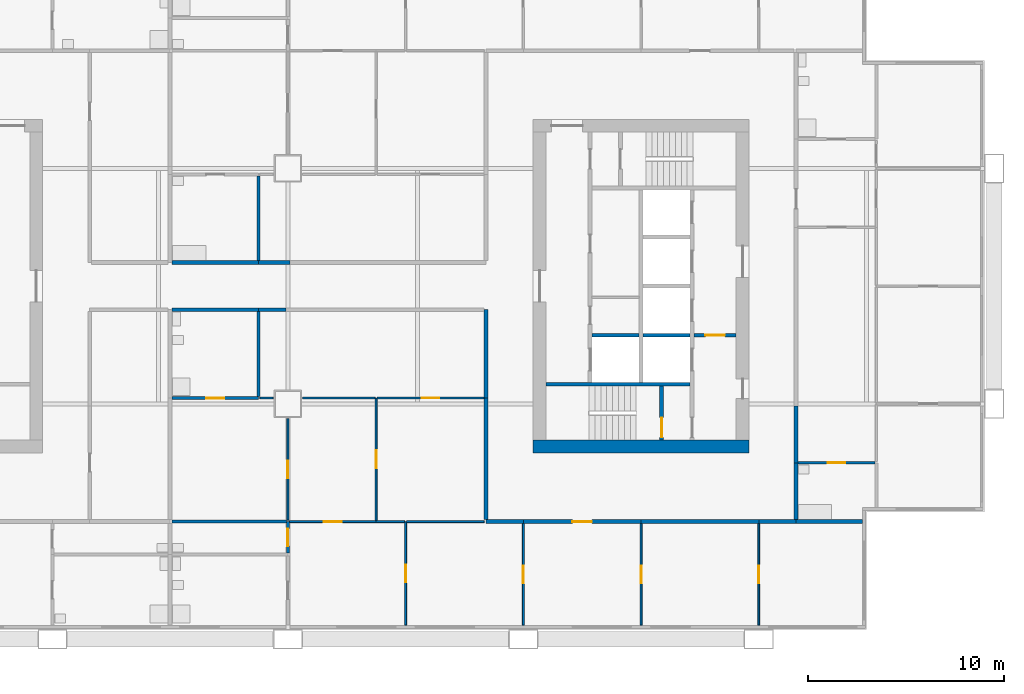
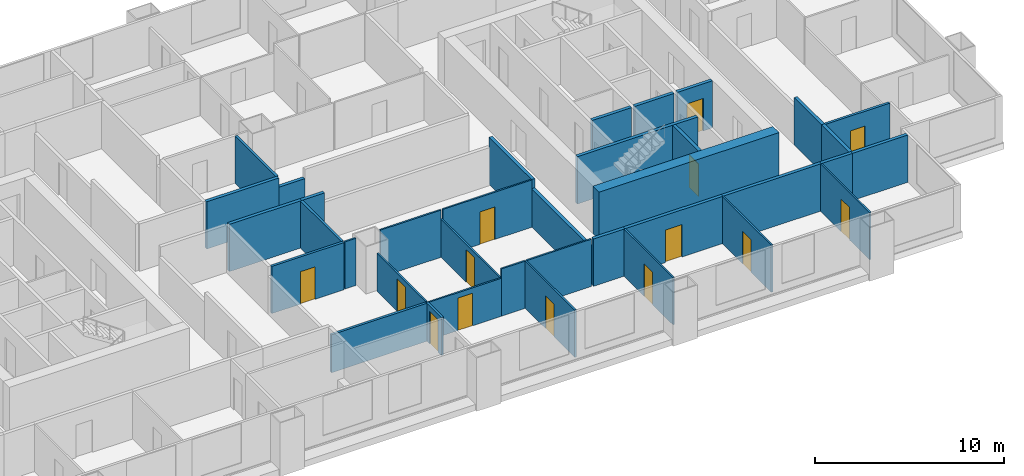
# One storey, part 5 of 11: 37 walls, 14 doors, 14 openings.
"""IFC4 building model written with IfcOpenShell, lengths in metres."""

from ifc_helpers import new_model, si_unit, direction, frame, frame_2d, origin, place, context, subcontext, project, spatial, rectangle, extrude, material, layer, layer_set, type_object, element, fill, save


model = new_model("IFC4")

# Units and contexts
model_context = context("Model", 3, precision=1e-05, world=origin(), true_north=direction((0.0, 1.0)))
body_context = subcontext(model_context, "Body", "Model", "MODEL_VIEW")
ifc_project = project(units=[si_unit("LENGTHUNIT", "METRE"), si_unit("AREAUNIT", "SQUARE_METRE"), si_unit("VOLUMEUNIT", "CUBIC_METRE"), si_unit("PLANEANGLEUNIT", "RADIAN"), si_unit("MASSUNIT", "GRAM", prefix="KILO")], contexts=[model_context])

# Site, building, storey
site_placement = place(None, origin())
site = spatial("IfcSite", under=ifc_project, at=site_placement, CompositionType="ELEMENT")
building_placement = place(site_placement, origin())
building = spatial("IfcBuilding", under=site, at=building_placement, Name="Kitamizu Gate Tower and Museum", CompositionType="ELEMENT")
storey_placement = place(building_placement, frame((0.0, 0.0, 110.39990234375)))
storey = spatial("IfcBuildingStorey", under=building, at=storey_placement, Name="L28", CompositionType="ELEMENT", Elevation=110.39990234375)

# Wall
ifc_material_1 = material(Name="Concrete Fc60", Category="concrete")
ifc_layer_1 = layer(ifc_material_1, 0.64990234375)
ifc_layer_set_1 = layer_set([ifc_layer_1], Name="Concrete Fc60")
wall_type_1 = type_object("IfcWallType", Name="Core wall 650", PredefinedType="SHEAR", material=ifc_layer_set_1)
wall_1_placement = place(storey_placement, frame((59.5, 21.824951171875, 0.0), z_axis=(0.0, 0.0, 1.0), x_axis=(-1.0, 0.0, 0.0)))
element("IfcWall", 1, at=wall_1_placement, inside=storey, type_object=wall_type_1, Name="Core wall ES", PredefinedType="SHEAR", context=body_context, shape_type="SweptSolid", body=[
    extrude(rectangle(XDim=11.0, YDim=0.64990234375, at=frame_2d((5.5, 0.0))), origin(), (0.0, 0.0, 1.0), 3.050048828125),
])

# Wall, opening, door
ifc_material_2 = material(Name="Gypsum board on galvanised stud")
ifc_layer_2 = layer(ifc_material_2, 0.10009765625)
ifc_layer_set_2 = layer_set([ifc_layer_2], Name="Gypsum board on galvanised stud")
wall_type_2 = type_object("IfcWallType", Name="Partition 100 NOT RATED", PredefinedType="PARTITIONING", material=ifc_layer_set_2)
wall_2_placement = place(storey_placement, frame((42.0, 12.719970703125, 0.0), z_axis=(0.0, 0.0, 1.0), x_axis=(0.0, 1.0, 0.0)))
wall_2 = element("IfcWall", 2, at=wall_2_placement, inside=storey, type_object=wall_type_2, Name="Partition L28-044", PredefinedType="PARTITIONING", context=body_context, shape_type="SweptSolid", body=[
    extrude(rectangle(XDim=5.280029296875, YDim=0.10009765625, at=frame_2d((2.64013671875, 0.0))), origin(), (0.0, 0.0, 1.0), 3.050048828125),
])
opening_1_placement = place(wall_2_placement, frame((2.18994140625, 0.0, 0.0)))
opening_1 = element("IfcOpeningElement", 3, at=opening_1_placement, cuts=wall_2, Name="Opening L28-017", PredefinedType="OPENING", context=body_context, shape_type="SweptSolid", body=[
    extrude(rectangle(XDim=0.89990234375, YDim=2.10009765625, at=frame_2d((0.449951171875, 1.050048828125))), frame((0.0, 0.06005859375, 0.0), z_axis=(0.0, -1.0, 0.0), x_axis=(1.0, 0.0, 0.0)), (0.0, 0.0, 1.0), 0.1201171875),
])
ifc_material_3 = material(Name="Timber door set", Category="wood")
door_type_1 = type_object("IfcDoorType", Name="Room door 900", OperationType="NOTDEFINED", PredefinedType="DOOR", material=ifc_material_3)
door_1_placement = place(opening_1_placement, origin())
door_1 = element("IfcDoor", 4, at=door_1_placement, inside=storey, type_object=door_type_1, Name="Door L28-017", OperationType="SINGLE_SWING_LEFT", OverallHeight=2.10009765625, OverallWidth=0.89990234375, PredefinedType="DOOR", context=body_context, shape_type="SweptSolid", body=[
    extrude(rectangle(XDim=0.89990234375, YDim=2.10009765625, at=frame_2d((0.449951171875, 1.050048828125))), frame((0.0, 0.02490234375, 0.0), z_axis=(0.0, -1.0, 0.0), x_axis=(1.0, 0.0, 0.0)), (0.0, 0.0, 1.0), 0.050048828125),
])
fill(opening_1, door_1)

wall_3_placement = place(storey_placement, frame((40.5, 18.0, 0.0), z_axis=(0.0, 0.0, 1.0), x_axis=(-1.0, 0.0, 0.0)))
wall_3 = element("IfcWall", 5, at=wall_3_placement, inside=storey, type_object=wall_type_2, Name="Partition L28-045", PredefinedType="PARTITIONING", context=body_context, shape_type="SweptSolid", body=[
    extrude(rectangle(XDim=4.425048828125, YDim=0.10009765625, at=frame_2d((2.21240234375, 0.0))), origin(), (0.0, 0.0, 1.0), 2.4501953125),
])
opening_2_placement = place(wall_3_placement, frame((1.762451171875, 0.0, 0.0)))
opening_2 = element("IfcOpeningElement", 6, at=opening_2_placement, cuts=wall_3, Name="Opening L28-019", PredefinedType="OPENING", context=body_context, shape_type="SweptSolid", body=[
    extrude(rectangle(XDim=0.89990234375, YDim=2.10009765625, at=frame_2d((0.449951171875, 1.050048828125))), frame((0.0, 0.06005859375, 0.0), z_axis=(0.0, -1.0, 0.0), x_axis=(1.0, 0.0, 0.0)), (0.0, 0.0, 1.0), 0.1201171875),
])
door_2_placement = place(opening_2_placement, frame((0.89990234375, 0.0, 0.0), x_axis=(-1.0, 0.0, 0.0)))
door_2 = element("IfcDoor", 7, at=door_2_placement, inside=storey, type_object=door_type_1, Name="Door L28-019", OperationType="SINGLE_SWING_RIGHT", OverallHeight=2.10009765625, OverallWidth=0.89990234375, PredefinedType="DOOR", context=body_context, shape_type="SweptSolid", body=[
    extrude(rectangle(XDim=0.89990234375, YDim=2.10009765625, at=frame_2d((0.449951171875, 1.050048828125))), frame((0.0, 0.02490234375, 0.0), z_axis=(0.0, -1.0, 0.0), x_axis=(1.0, 0.0, 0.0)), (0.0, 0.0, 1.0), 0.050048828125),
])
fill(opening_2, door_2)

# Wall
wall_4_placement = place(storey_placement, frame((41.949951171875, 18.0, 0.0), z_axis=(0.0, 0.0, 1.0), x_axis=(-1.0, 0.0, 0.0)))
element("IfcWall", 8, at=wall_4_placement, inside=storey, type_object=wall_type_2, Name="Partition L28-046", PredefinedType="PARTITIONING", context=body_context, shape_type="SweptSolid", body=[
    extrude(rectangle(XDim=1.449951171875, YDim=0.10009765625, at=frame_2d((0.72509765625, 0.0))), origin(), (0.0, 0.0, 1.0), 3.050048828125),
])

# Wall, opening, door
wall_5_placement = place(storey_placement, frame((48.0, 12.719970703125, 0.0), z_axis=(0.0, 0.0, 1.0), x_axis=(0.0, 1.0, 0.0)))
wall_5 = element("IfcWall", 9, at=wall_5_placement, inside=storey, type_object=wall_type_2, Name="Partition L28-047", PredefinedType="PARTITIONING", context=body_context, shape_type="SweptSolid", body=[
    extrude(rectangle(XDim=5.179931640625, YDim=0.10009765625, at=frame_2d((2.58984375, 0.0))), origin(), (0.0, 0.0, 1.0), 3.050048828125),
])
opening_3_placement = place(wall_5_placement, frame((2.139892578125, 0.0, 0.0)))
opening_3 = element("IfcOpeningElement", 10, at=opening_3_placement, cuts=wall_5, Name="Opening L28-015", PredefinedType="OPENING", context=body_context, shape_type="SweptSolid", body=[
    extrude(rectangle(XDim=0.89990234375, YDim=2.10009765625, at=frame_2d((0.449951171875, 1.050048828125))), frame((0.0, 0.06005859375, 0.0), z_axis=(0.0, -1.0, 0.0), x_axis=(1.0, 0.0, 0.0)), (0.0, 0.0, 1.0), 0.1201171875),
])
door_3_placement = place(opening_3_placement, origin())
door_3 = element("IfcDoor", 11, at=door_3_placement, inside=storey, type_object=door_type_1, Name="Door L28-015", OperationType="SINGLE_SWING_LEFT", OverallHeight=2.10009765625, OverallWidth=0.89990234375, PredefinedType="DOOR", context=body_context, shape_type="SweptSolid", body=[
    extrude(rectangle(XDim=0.89990234375, YDim=2.10009765625, at=frame_2d((0.449951171875, 1.050048828125))), frame((0.0, 0.02490234375, 0.0), z_axis=(0.0, -1.0, 0.0), x_axis=(1.0, 0.0, 0.0)), (0.0, 0.0, 1.0), 0.050048828125),
])
fill(opening_3, door_3)

# Wall
wall_6_placement = place(storey_placement, frame((46.0, 18.0, 0.0), z_axis=(0.0, 0.0, 1.0), x_axis=(-1.0, 0.0, 0.0)))
element("IfcWall", 12, at=wall_6_placement, inside=storey, type_object=wall_type_2, Name="Partition L28-048", PredefinedType="PARTITIONING", context=body_context, shape_type="SweptSolid", body=[
    extrude(rectangle(XDim=3.949951171875, YDim=0.10009765625, at=frame_2d((1.97509765625, 0.0))), origin(), (0.0, 0.0, 1.0), 3.050048828125),
])

# Wall, opening, door
wall_7_placement = place(storey_placement, frame((54.0, 12.719970703125, 0.0), z_axis=(0.0, 0.0, 1.0), x_axis=(0.0, 1.0, 0.0)))
wall_7 = element("IfcWall", 13, at=wall_7_placement, inside=storey, type_object=wall_type_2, Name="Partition L28-050", PredefinedType="PARTITIONING", context=body_context, shape_type="SweptSolid", body=[
    extrude(rectangle(XDim=5.179931640625, YDim=0.10009765625, at=frame_2d((2.58984375, 0.0))), origin(), (0.0, 0.0, 1.0), 3.050048828125),
])
opening_4_placement = place(wall_7_placement, frame((2.139892578125, 0.0, 0.0)))
opening_4 = element("IfcOpeningElement", 14, at=opening_4_placement, cuts=wall_7, Name="Opening L28-016", PredefinedType="OPENING", context=body_context, shape_type="SweptSolid", body=[
    extrude(rectangle(XDim=0.89990234375, YDim=2.10009765625, at=frame_2d((0.449951171875, 1.050048828125))), frame((0.0, 0.06005859375, 0.0), z_axis=(0.0, -1.0, 0.0), x_axis=(1.0, 0.0, 0.0)), (0.0, 0.0, 1.0), 0.1201171875),
])
door_4_placement = place(opening_4_placement, frame((0.89990234375, 0.0, 0.0), x_axis=(-1.0, 0.0, 0.0)))
door_4 = element("IfcDoor", 15, at=door_4_placement, inside=storey, type_object=door_type_1, Name="Door L28-016", OperationType="SINGLE_SWING_LEFT", OverallHeight=2.10009765625, OverallWidth=0.89990234375, PredefinedType="DOOR", context=body_context, shape_type="SweptSolid", body=[
    extrude(rectangle(XDim=0.89990234375, YDim=2.10009765625, at=frame_2d((0.449951171875, 1.050048828125))), frame((0.0, 0.02490234375, 0.0), z_axis=(0.0, -1.0, 0.0), x_axis=(1.0, 0.0, 0.0)), (0.0, 0.0, 1.0), 0.050048828125),
])
fill(opening_4, door_4)

wall_8_placement = place(storey_placement, frame((60.0, 12.719970703125, 0.0), z_axis=(0.0, 0.0, 1.0), x_axis=(0.0, 1.0, 0.0)))
wall_8 = element("IfcWall", 16, at=wall_8_placement, inside=storey, type_object=wall_type_2, Name="Partition L28-052", PredefinedType="PARTITIONING", context=body_context, shape_type="SweptSolid", body=[
    extrude(rectangle(XDim=5.179931640625, YDim=0.10009765625, at=frame_2d((2.58984375, 0.0))), origin(), (0.0, 0.0, 1.0), 3.050048828125),
])
opening_5_placement = place(wall_8_placement, frame((2.139892578125, 0.0, 0.0)))
opening_5 = element("IfcOpeningElement", 17, at=opening_5_placement, cuts=wall_8, Name="Opening L28-018", PredefinedType="OPENING", context=body_context, shape_type="SweptSolid", body=[
    extrude(rectangle(XDim=0.89990234375, YDim=2.10009765625, at=frame_2d((0.449951171875, 1.050048828125))), frame((0.0, 0.06005859375, 0.0), z_axis=(0.0, -1.0, 0.0), x_axis=(1.0, 0.0, 0.0)), (0.0, 0.0, 1.0), 0.1201171875),
])
door_5_placement = place(opening_5_placement, frame((0.89990234375, 0.0, 0.0), x_axis=(-1.0, 0.0, 0.0)))
door_5 = element("IfcDoor", 18, at=door_5_placement, inside=storey, type_object=door_type_1, Name="Door L28-018", OperationType="SINGLE_SWING_LEFT", OverallHeight=2.10009765625, OverallWidth=0.89990234375, PredefinedType="DOOR", context=body_context, shape_type="SweptSolid", body=[
    extrude(rectangle(XDim=0.89990234375, YDim=2.10009765625, at=frame_2d((0.449951171875, 1.050048828125))), frame((0.0, 0.02490234375, 0.0), z_axis=(0.0, -1.0, 0.0), x_axis=(1.0, 0.0, 0.0)), (0.0, 0.0, 1.0), 0.050048828125),
])
fill(opening_5, door_5)

wall_9_placement = place(storey_placement, frame((36.0, 18.074951171875, 0.0), z_axis=(0.0, 0.0, 1.0), x_axis=(0.0, 1.0, 0.0)))
wall_9 = element("IfcWall", 19, at=wall_9_placement, inside=storey, type_object=wall_type_2, Name="Partition L28-056", PredefinedType="PARTITIONING", context=body_context, shape_type="SweptSolid", body=[
    extrude(rectangle(XDim=5.175048828125, YDim=0.10009765625, at=frame_2d((2.58740234375, 0.0))), origin(), (0.0, 0.0, 1.0), 2.4501953125),
])
opening_6_placement = place(wall_9_placement, frame((2.137451171875, 0.0, 0.0)))
opening_6 = element("IfcOpeningElement", 20, at=opening_6_placement, cuts=wall_9, Name="Opening L28-024", PredefinedType="OPENING", context=body_context, shape_type="SweptSolid", body=[
    extrude(rectangle(XDim=0.89990234375, YDim=2.10009765625, at=frame_2d((0.449951171875, 1.050048828125))), frame((0.0, 0.06005859375, 0.0), z_axis=(0.0, -1.0, 0.0), x_axis=(1.0, 0.0, 0.0)), (0.0, 0.0, 1.0), 0.1201171875),
])
door_6_placement = place(opening_6_placement, frame((0.89990234375, 0.0, 0.0), x_axis=(-1.0, 0.0, 0.0)))
door_6 = element("IfcDoor", 21, at=door_6_placement, inside=storey, type_object=door_type_1, Name="Door L28-024", OperationType="SINGLE_SWING_LEFT", OverallHeight=2.10009765625, OverallWidth=0.89990234375, PredefinedType="DOOR", context=body_context, shape_type="SweptSolid", body=[
    extrude(rectangle(XDim=0.89990234375, YDim=2.10009765625, at=frame_2d((0.449951171875, 1.050048828125))), frame((0.0, 0.02490234375, 0.0), z_axis=(0.0, -1.0, 0.0), x_axis=(1.0, 0.0, 0.0)), (0.0, 0.0, 1.0), 0.050048828125),
])
fill(opening_6, door_6)

# Wall
wall_10_placement = place(storey_placement, frame((35.25, 24.300048828125, 0.0), z_axis=(0.0, 0.0, 1.0), x_axis=(-1.0, 0.0, 0.0)))
element("IfcWall", 22, at=wall_10_placement, inside=storey, type_object=wall_type_2, Name="Partition L28-058", PredefinedType="PARTITIONING", context=body_context, shape_type="SweptSolid", body=[
    extrude(rectangle(XDim=0.675048828125, YDim=0.10009765625, at=frame_2d((0.33740234375, 0.0))), origin(), (0.0, 0.0, 1.0), 3.050048828125),
])

# Wall, opening, door
wall_11_placement = place(storey_placement, frame((40.5, 18.050048828125, 0.0), z_axis=(0.0, 0.0, 1.0), x_axis=(0.0, 1.0, 0.0)))
wall_11 = element("IfcWall", 23, at=wall_11_placement, inside=storey, type_object=wall_type_2, Name="Partition L28-059", PredefinedType="PARTITIONING", context=body_context, shape_type="SweptSolid", body=[
    extrude(rectangle(XDim=6.25, YDim=0.10009765625, at=frame_2d((3.125, 0.0))), origin(), (0.0, 0.0, 1.0), 2.4501953125),
])
opening_7_placement = place(wall_11_placement, frame((2.675048828125, 0.0, 0.0)))
opening_7 = element("IfcOpeningElement", 24, at=opening_7_placement, cuts=wall_11, Name="Opening L28-020", PredefinedType="OPENING", context=body_context, shape_type="SweptSolid", body=[
    extrude(rectangle(XDim=0.89990234375, YDim=2.10009765625, at=frame_2d((0.449951171875, 1.050048828125))), frame((0.0, 0.06005859375, 0.0), z_axis=(0.0, -1.0, 0.0), x_axis=(1.0, 0.0, 0.0)), (0.0, 0.0, 1.0), 0.1201171875),
])
door_7_placement = place(opening_7_placement, origin())
door_7 = element("IfcDoor", 25, at=door_7_placement, inside=storey, type_object=door_type_1, Name="Door L28-020", OperationType="SINGLE_SWING_RIGHT", OverallHeight=2.10009765625, OverallWidth=0.89990234375, PredefinedType="DOOR", context=body_context, shape_type="SweptSolid", body=[
    extrude(rectangle(XDim=0.89990234375, YDim=2.10009765625, at=frame_2d((0.449951171875, 1.050048828125))), frame((0.0, 0.02490234375, 0.0), z_axis=(0.0, -1.0, 0.0), x_axis=(1.0, 0.0, 0.0)), (0.0, 0.0, 1.0), 0.050048828125),
])
fill(opening_7, door_7)

# Wall
wall_12_placement = place(storey_placement, frame((40.449951171875, 24.300048828125, 0.0), z_axis=(0.0, 0.0, 1.0), x_axis=(-1.0, 0.0, 0.0)))
element("IfcWall", 26, at=wall_12_placement, inside=storey, type_object=wall_type_2, Name="Partition L28-060", PredefinedType="PARTITIONING", context=body_context, shape_type="SweptSolid", body=[
    extrude(rectangle(XDim=3.699951171875, YDim=0.10009765625, at=frame_2d((1.85009765625, 0.0))), origin(), (0.0, 0.0, 1.0), 3.050048828125),
])

# Wall, opening, door
wall_13_placement = place(storey_placement, frame((46.0, 24.300048828125, 0.0), z_axis=(0.0, 0.0, 1.0), x_axis=(-1.0, 0.0, 0.0)))
wall_13 = element("IfcWall", 27, at=wall_13_placement, inside=storey, type_object=wall_type_2, Name="Partition L28-061", PredefinedType="PARTITIONING", context=body_context, shape_type="SweptSolid", body=[
    extrude(rectangle(XDim=5.449951171875, YDim=0.10009765625, at=frame_2d((2.72509765625, 0.0))), origin(), (0.0, 0.0, 1.0), 3.050048828125),
])
opening_8_placement = place(wall_13_placement, frame((2.27490234375, 0.0, 0.0)))
opening_8 = element("IfcOpeningElement", 28, at=opening_8_placement, cuts=wall_13, Name="Opening L28-021", PredefinedType="OPENING", context=body_context, shape_type="SweptSolid", body=[
    extrude(rectangle(XDim=0.89990234375, YDim=2.10009765625, at=frame_2d((0.449951171875, 1.050048828125))), frame((0.0, 0.06005859375, 0.0), z_axis=(0.0, -1.0, 0.0), x_axis=(1.0, 0.0, 0.0)), (0.0, 0.0, 1.0), 0.1201171875),
])
door_8_placement = place(opening_8_placement, origin())
door_8 = element("IfcDoor", 29, at=door_8_placement, inside=storey, type_object=door_type_1, Name="Door L28-021", OperationType="SINGLE_SWING_LEFT", OverallHeight=2.10009765625, OverallWidth=0.89990234375, PredefinedType="DOOR", context=body_context, shape_type="SweptSolid", body=[
    extrude(rectangle(XDim=0.89990234375, YDim=2.10009765625, at=frame_2d((0.449951171875, 1.050048828125))), frame((0.0, 0.02490234375, 0.0), z_axis=(0.0, -1.0, 0.0), x_axis=(1.0, 0.0, 0.0)), (0.0, 0.0, 1.0), 0.050048828125),
])
fill(opening_8, door_8)

ifc_material_4 = material(Name="Gypsum board on galvanised stud")
ifc_layer_3 = layer(ifc_material_4, 0.14990234375)
ifc_layer_set_3 = layer_set([ifc_layer_3], Name="Gypsum board on galvanised stud")
wall_type_3 = type_object("IfcWallType", Name="Partition 150", PredefinedType="PARTITIONING", material=ifc_layer_set_3)
wall_14_placement = place(storey_placement, frame((36.0, 16.39501953125, 0.0), z_axis=(0.0, 0.0, 1.0), x_axis=(0.0, 1.0, 0.0)))
wall_14 = element("IfcWall", 30, at=wall_14_placement, inside=storey, type_object=wall_type_3, Name="Partition L28-042", PredefinedType="PARTITIONING", context=body_context, shape_type="SweptSolid", body=[
    extrude(rectangle(XDim=1.60498046875, YDim=0.14990234375, at=frame_2d((0.802490234375, 0.0))), origin(), (0.0, 0.0, 1.0), 2.4501953125),
])
opening_9_placement = place(wall_14_placement, frame((0.3525390625, 0.0, 0.0)))
opening_9 = element("IfcOpeningElement", 31, at=opening_9_placement, cuts=wall_14, Name="Opening L28-023", PredefinedType="OPENING", context=body_context, shape_type="SweptSolid", body=[
    extrude(rectangle(XDim=0.89990234375, YDim=2.10009765625, at=frame_2d((0.449951171875, 1.050048828125))), frame((0.0, 0.0849609375, 0.0), z_axis=(0.0, -1.0, 0.0), x_axis=(1.0, 0.0, 0.0)), (0.0, 0.0, 1.0), 0.169921875),
])
ifc_material_5 = material(Name="Timber door set", Category="wood")
door_type_2 = type_object("IfcDoorType", Name="Bathroom door 900", OperationType="NOTDEFINED", PredefinedType="DOOR", material=ifc_material_5)
door_9_placement = place(opening_9_placement, origin())
door_9 = element("IfcDoor", 32, at=door_9_placement, inside=storey, type_object=door_type_2, Name="Bathroom door L28-023", OperationType="SINGLE_SWING_LEFT", OverallHeight=2.10009765625, OverallWidth=0.89990234375, PredefinedType="DOOR", context=body_context, shape_type="SweptSolid", body=[
    extrude(rectangle(XDim=0.89990234375, YDim=2.10009765625, at=frame_2d((0.449951171875, 1.050048828125))), frame((0.0, 0.02490234375, 0.0), z_axis=(0.0, -1.0, 0.0), x_axis=(1.0, 0.0, 0.0)), (0.0, 0.0, 1.0), 0.050048828125),
])
fill(opening_9, door_9)

# Wall
wall_15_placement = place(storey_placement, frame((35.925048828125, 18.0, 0.0), z_axis=(0.0, 0.0, 1.0), x_axis=(-1.0, 0.0, 0.0)))
element("IfcWall", 33, at=wall_15_placement, inside=storey, type_object=wall_type_3, Name="Partition L28-043", PredefinedType="PARTITIONING", context=body_context, shape_type="SweptSolid", body=[
    extrude(rectangle(XDim=5.824951171875, YDim=0.14990234375, at=frame_2d((2.91259765625, 0.0))), origin(), (0.0, 0.0, 1.0), 2.4501953125),
])

# Wall, opening, door
wall_16_placement = place(storey_placement, frame((34.5, 24.300048828125, 0.0), z_axis=(0.0, 0.0, 1.0), x_axis=(-1.0, 0.0, 0.0)))
wall_16 = element("IfcWall", 34, at=wall_16_placement, inside=storey, type_object=wall_type_3, Name="Partition L28-057", PredefinedType="PARTITIONING", context=body_context, shape_type="SweptSolid", body=[
    extrude(rectangle(XDim=4.39990234375, YDim=0.14990234375, at=frame_2d((2.199951171875, 0.0))), origin(), (0.0, 0.0, 1.0), 3.050048828125),
])
opening_10_placement = place(wall_16_placement, frame((1.75, 0.0, 0.0)))
opening_10 = element("IfcOpeningElement", 35, at=opening_10_placement, cuts=wall_16, Name="Opening L28-025", PredefinedType="OPENING", context=body_context, shape_type="SweptSolid", body=[
    extrude(rectangle(XDim=0.89990234375, YDim=2.10009765625, at=frame_2d((0.449951171875, 1.050048828125))), frame((0.0, 0.0849609375, 0.0), z_axis=(0.0, -1.0, 0.0), x_axis=(1.0, 0.0, 0.0)), (0.0, 0.0, 1.0), 0.169921875),
])
door_10_placement = place(opening_10_placement, frame((0.89990234375, 0.0, 0.0), x_axis=(-1.0, 0.0, 0.0)))
door_10 = element("IfcDoor", 36, at=door_10_placement, inside=storey, type_object=door_type_2, Name="Bathroom door L28-025", OperationType="SINGLE_SWING_RIGHT", OverallHeight=2.10009765625, OverallWidth=0.89990234375, PredefinedType="DOOR", context=body_context, shape_type="SweptSolid", body=[
    extrude(rectangle(XDim=0.89990234375, YDim=2.10009765625, at=frame_2d((0.449951171875, 1.050048828125))), frame((0.0, 0.02490234375, 0.0), z_axis=(0.0, -1.0, 0.0), x_axis=(1.0, 0.0, 0.0)), (0.0, 0.0, 1.0), 0.050048828125),
])
fill(opening_10, door_10)

# Wall
wall_17_placement = place(storey_placement, frame((34.5, 24.375, 0.0), z_axis=(0.0, 0.0, 1.0), x_axis=(0.0, 1.0, 0.0)))
element("IfcWall", 37, at=wall_17_placement, inside=storey, type_object=wall_type_3, Name="Partition L28-063", PredefinedType="PARTITIONING", context=body_context, shape_type="SweptSolid", body=[
    extrude(rectangle(XDim=4.324951171875, YDim=0.14990234375, at=frame_2d((2.16259765625, 0.0))), origin(), (0.0, 0.0, 1.0), 3.050048828125),
])

# Wall, opening, door
wall_18_placement = place(storey_placement, frame((65.925048828125, 21.0, 0.0), z_axis=(0.0, 0.0, 1.0), x_axis=(-1.0, 0.0, 0.0)))
wall_18 = element("IfcWall", 38, at=wall_18_placement, inside=storey, type_object=wall_type_3, Name="Partition L28-078", PredefinedType="PARTITIONING", context=body_context, shape_type="SweptSolid", body=[
    extrude(rectangle(XDim=3.925048828125, YDim=0.14990234375, at=frame_2d((1.96240234375, 0.0))), origin(), (0.0, 0.0, 1.0), 3.050048828125),
])
opening_11_placement = place(wall_18_placement, frame((1.512451171875, 0.0, 0.0)))
opening_11 = element("IfcOpeningElement", 39, at=opening_11_placement, cuts=wall_18, Name="Opening L28-033", PredefinedType="OPENING", context=body_context, shape_type="SweptSolid", body=[
    extrude(rectangle(XDim=0.89990234375, YDim=2.10009765625, at=frame_2d((0.449951171875, 1.050048828125))), frame((0.0, 0.0849609375, 0.0), z_axis=(0.0, -1.0, 0.0), x_axis=(1.0, 0.0, 0.0)), (0.0, 0.0, 1.0), 0.169921875),
])
door_11_placement = place(opening_11_placement, origin())
door_11 = element("IfcDoor", 40, at=door_11_placement, inside=storey, type_object=door_type_2, Name="Bathroom door L28-033", OperationType="SINGLE_SWING_RIGHT", OverallHeight=2.10009765625, OverallWidth=0.89990234375, PredefinedType="DOOR", context=body_context, shape_type="SweptSolid", body=[
    extrude(rectangle(XDim=0.89990234375, YDim=2.10009765625, at=frame_2d((0.449951171875, 1.050048828125))), frame((0.0, 0.02490234375, 0.0), z_axis=(0.0, -1.0, 0.0), x_axis=(1.0, 0.0, 0.0)), (0.0, 0.0, 1.0), 0.050048828125),
])
fill(opening_11, door_11)

# Walls
wall_19_placement = place(storey_placement, frame((34.5, 31.300048828125, 0.0), z_axis=(0.0, 0.0, 1.0), x_axis=(0.0, 1.0, 0.0)))
element("IfcWall", 41, at=wall_19_placement, inside=storey, type_object=wall_type_3, Name="Partition L28-131", PredefinedType="PARTITIONING", context=body_context, shape_type="SweptSolid", body=[
    extrude(rectangle(XDim=4.324951171875, YDim=0.14990234375, at=frame_2d((2.16259765625, 0.0))), origin(), (0.0, 0.0, 1.0), 3.050048828125),
])
ifc_material_6 = material(Name="Gypsum board on galvanised stud")
ifc_layer_4 = layer(ifc_material_6, 0.199951171875)
ifc_layer_set_4 = layer_set([ifc_layer_4], Name="Gypsum board on galvanised stud")
wall_type_4 = type_object("IfcWallType", Name="Partition 200", PredefinedType="PARTITIONING", material=ifc_layer_set_4)
wall_20_placement = place(storey_placement, frame((48.0, 18.0, 0.0), z_axis=(0.0, 0.0, 1.0), x_axis=(-1.0, 0.0, 0.0)))
element("IfcWall", 42, at=wall_20_placement, inside=storey, type_object=wall_type_4, Name="Partition L28-049", PredefinedType="PARTITIONING", context=body_context, shape_type="SweptSolid", body=[
    extrude(rectangle(XDim=1.89990234375, YDim=0.199951171875, at=frame_2d((0.949951171875, 0.0))), origin(), (0.0, 0.0, 1.0), 3.050048828125),
])

# Wall, opening, door
wall_21_placement = place(storey_placement, frame((54.0, 18.0, 0.0), z_axis=(0.0, 0.0, 1.0), x_axis=(-1.0, 0.0, 0.0)))
wall_21 = element("IfcWall", 43, at=wall_21_placement, inside=storey, type_object=wall_type_4, Name="Partition L28-051", PredefinedType="PARTITIONING", context=body_context, shape_type="SweptSolid", body=[
    extrude(rectangle(XDim=6.0, YDim=0.199951171875, at=frame_2d((3.0, 0.0))), origin(), (0.0, 0.0, 1.0), 3.050048828125),
])
opening_12_placement = place(wall_21_placement, frame((2.5, 0.0, 0.0)))
opening_12 = element("IfcOpeningElement", 44, at=opening_12_placement, cuts=wall_21, Name="Opening L28-014", PredefinedType="OPENING", context=body_context, shape_type="SweptSolid", body=[
    extrude(rectangle(XDim=1.0, YDim=2.10009765625, at=frame_2d((0.5, 1.050048828125))), frame((0.0, 0.10986328125, 0.0), z_axis=(0.0, -1.0, 0.0), x_axis=(1.0, 0.0, 0.0)), (0.0, 0.0, 1.0), 0.219970703125),
])
ifc_material_7 = material(Name="Timber door set", Category="wood")
door_type_3 = type_object("IfcDoorType", Name="Flat entrance door 1000", OperationType="NOTDEFINED", PredefinedType="DOOR", material=ifc_material_7)
door_12_placement = place(opening_12_placement, origin())
door_12 = element("IfcDoor", 45, at=door_12_placement, inside=storey, type_object=door_type_3, Name="Flat entrance door L28-014", OperationType="SINGLE_SWING_RIGHT", OverallHeight=2.10009765625, OverallWidth=1.0, PredefinedType="DOOR", context=body_context, shape_type="SweptSolid", body=[
    extrude(rectangle(XDim=1.0, YDim=2.10009765625, at=frame_2d((0.5, 1.050048828125))), frame((0.0, 0.02490234375, 0.0), z_axis=(0.0, -1.0, 0.0), x_axis=(1.0, 0.0, 0.0)), (0.0, 0.0, 1.0), 0.050048828125),
])
fill(opening_12, door_12)

# Walls
wall_22_placement = place(storey_placement, frame((60.0, 18.0, 0.0), z_axis=(0.0, 0.0, 1.0), x_axis=(-1.0, 0.0, 0.0)))
element("IfcWall", 46, at=wall_22_placement, inside=storey, type_object=wall_type_4, Name="Partition L28-053", PredefinedType="PARTITIONING", context=body_context, shape_type="SweptSolid", body=[
    extrude(rectangle(XDim=6.0, YDim=0.199951171875, at=frame_2d((3.0, 0.0))), origin(), (0.0, 0.0, 1.0), 3.050048828125),
])
wall_23_placement = place(storey_placement, frame((65.280029296875, 18.0, 0.0), z_axis=(0.0, 0.0, 1.0), x_axis=(-1.0, 0.0, 0.0)))
element("IfcWall", 47, at=wall_23_placement, inside=storey, type_object=wall_type_4, Name="Partition L28-054", PredefinedType="PARTITIONING", context=body_context, shape_type="SweptSolid", body=[
    extrude(rectangle(XDim=3.380126953125, YDim=0.199951171875, at=frame_2d((1.68994140625, 0.0))), origin(), (0.0, 0.0, 1.0), 3.050048828125),
])
wall_24_placement = place(storey_placement, frame((61.89990234375, 18.0, 0.0), z_axis=(0.0, 0.0, 1.0), x_axis=(-1.0, 0.0, 0.0)))
element("IfcWall", 48, at=wall_24_placement, inside=storey, type_object=wall_type_4, Name="Partition L28-055", PredefinedType="PARTITIONING", context=body_context, shape_type="SweptSolid", body=[
    extrude(rectangle(XDim=1.89990234375, YDim=0.199951171875, at=frame_2d((0.949951171875, 0.0))), origin(), (0.0, 0.0, 1.0), 3.050048828125),
])
wall_25_placement = place(storey_placement, frame((46.10009765625, 18.10009765625, 0.0), z_axis=(0.0, 0.0, 1.0), x_axis=(0.0, 1.0, 0.0)))
element("IfcWall", 49, at=wall_25_placement, inside=storey, type_object=wall_type_4, Name="Partition L28-062", PredefinedType="PARTITIONING", context=body_context, shape_type="SweptSolid", body=[
    extrude(rectangle(XDim=6.199951171875, YDim=0.199951171875, at=frame_2d((3.10009765625, 0.0))), origin(), (0.0, 0.0, 1.0), 2.4501953125),
])
wall_26_placement = place(storey_placement, frame((34.5, 28.800048828125, 0.0), z_axis=(0.0, 0.0, 1.0), x_axis=(-1.0, 0.0, 0.0)))
element("IfcWall", 50, at=wall_26_placement, inside=storey, type_object=wall_type_4, Name="Partition L28-064", PredefinedType="PARTITIONING", context=body_context, shape_type="SweptSolid", body=[
    extrude(rectangle(XDim=4.39990234375, YDim=0.199951171875, at=frame_2d((2.199951171875, 0.0))), origin(), (0.0, 0.0, 1.0), 3.050048828125),
])
wall_27_placement = place(storey_placement, frame((46.10009765625, 24.300048828125, 0.0), z_axis=(0.0, 0.0, 1.0), x_axis=(0.0, 1.0, 0.0)))
element("IfcWall", 51, at=wall_27_placement, inside=storey, type_object=wall_type_4, Name="Partition L28-065", PredefinedType="PARTITIONING", context=body_context, shape_type="SweptSolid", body=[
    extrude(rectangle(XDim=4.5, YDim=0.199951171875, at=frame_2d((2.25, 0.0))), origin(), (0.0, 0.0, 1.0), 3.050048828125),
])
wall_28_placement = place(storey_placement, frame((35.89990234375, 28.800048828125, 0.0), z_axis=(0.0, 0.0, 1.0), x_axis=(-1.0, 0.0, 0.0)))
element("IfcWall", 52, at=wall_28_placement, inside=storey, type_object=wall_type_4, Name="Partition L28-067", PredefinedType="PARTITIONING", context=body_context, shape_type="SweptSolid", body=[
    extrude(rectangle(XDim=1.39990234375, YDim=0.199951171875, at=frame_2d((0.699951171875, 0.0))), origin(), (0.0, 0.0, 1.0), 3.050048828125),
])
for number, where, z_axis, x_axis, name in (
    (53, (61.89990234375, 21.0, 0.0), (0.0, 0.0, 1.0), (0.0, -1.0, 0.0), "Partition L28-079"),
    (54, (61.89990234375, 23.89990234375, 0.0), (0.0, 0.0, 1.0), (0.0, -1.0, 0.0), "Partition L28-082"),
):
    element("IfcWall", number, at=place(storey_placement, frame(where, z_axis=z_axis, x_axis=x_axis)), inside=storey, type_object=wall_type_4, Name=name, PredefinedType="PARTITIONING", context=body_context, shape_type="SweptSolid", body=[
        extrude(rectangle(XDim=2.89990234375, YDim=0.199951171875, at=frame_2d((1.449951171875, 0.0))), origin(), (0.0, 0.0, 1.0), 3.050048828125),
    ])
wall_29_placement = place(storey_placement, frame((30.10009765625, 31.199951171875, 0.0), z_axis=(0.0, 0.0, 1.0), x_axis=(1.0, 0.0, 0.0)))
element("IfcWall", 55, at=wall_29_placement, inside=storey, type_object=wall_type_4, Name="Partition L28-132", PredefinedType="PARTITIONING", context=body_context, shape_type="SweptSolid", body=[
    extrude(rectangle(XDim=4.39990234375, YDim=0.199951171875, at=frame_2d((2.199951171875, 0.0))), origin(), (0.0, 0.0, 1.0), 3.050048828125),
])
wall_30_placement = place(storey_placement, frame((34.5, 31.199951171875, 0.0), z_axis=(0.0, 0.0, 1.0), x_axis=(1.0, 0.0, 0.0)))
element("IfcWall", 56, at=wall_30_placement, inside=storey, type_object=wall_type_4, Name="Partition L28-133", PredefinedType="PARTITIONING", context=body_context, shape_type="SweptSolid", body=[
    extrude(rectangle(XDim=1.60009765625, YDim=0.199951171875, at=frame_2d((0.800048828125, 0.0))), origin(), (0.0, 0.0, 1.0), 2.4501953125),
])
ifc_material_8 = material(Name="Concrete Fc42", Category="concrete")
ifc_layer_5 = layer(ifc_material_8, 0.199951171875)
ifc_layer_set_5 = layer_set([ifc_layer_5], Name="Concrete Fc42")
wall_type_5 = type_object("IfcWallType", Name="Shaft wall 200", PredefinedType="SOLIDWALL", material=ifc_layer_set_5)
wall_31_placement = place(storey_placement, frame((56.5, 25.0, 0.0), z_axis=(0.0, 0.0, 1.0), x_axis=(-1.0, 0.0, 0.0)))
element("IfcWall", 57, at=wall_31_placement, inside=storey, type_object=wall_type_5, Name="Shaft wall ESB", PredefinedType="SOLIDWALL", context=body_context, shape_type="SweptSolid", body=[
    extrude(rectangle(XDim=7.35009765625, YDim=0.199951171875, at=frame_2d((3.675048828125, 0.0))), origin(), (0.0, 0.0, 1.0), 3.050048828125),
])

# Wall, opening, door
wall_32_placement = place(storey_placement, frame((58.85009765625, 27.5, 0.0), z_axis=(0.0, 0.0, 1.0), x_axis=(-1.0, 0.0, 0.0)))
wall_32 = element("IfcWall", 58, at=wall_32_placement, inside=storey, type_object=wall_type_5, Name="Shaft wall EFFN", PredefinedType="SOLIDWALL", context=body_context, shape_type="SweptSolid", body=[
    extrude(rectangle(XDim=2.150146484375, YDim=0.199951171875, at=frame_2d((1.0751953125, 0.0))), origin(), (0.0, 0.0, 1.0), 3.050048828125),
])
opening_13_placement = place(wall_32_placement, frame((0.574951171875, 0.0, 0.0)))
opening_13 = element("IfcOpeningElement", 59, at=opening_13_placement, cuts=wall_32, Name="Opening L28-068", PredefinedType="OPENING", context=body_context, shape_type="SweptSolid", body=[
    extrude(rectangle(XDim=1.0, YDim=2.10009765625, at=frame_2d((0.5, 1.050048828125))), frame((0.0, 0.10986328125, 0.0), z_axis=(0.0, -1.0, 0.0), x_axis=(1.0, 0.0, 0.0)), (0.0, 0.0, 1.0), 0.219970703125),
])
ifc_material_9 = material(Name="Hollow metal door set")
door_type_4 = type_object("IfcDoorType", Name="Fire door 1000", OperationType="NOTDEFINED", PredefinedType="DOOR", material=ifc_material_9)
door_13_placement = place(opening_13_placement, origin())
door_13 = element("IfcDoor", 60, at=door_13_placement, inside=storey, type_object=door_type_4, Name="Fire-fighting lobby door L28-068", OperationType="SINGLE_SWING_RIGHT", OverallHeight=2.10009765625, OverallWidth=1.0, PredefinedType="DOOR", context=body_context, shape_type="SweptSolid", body=[
    extrude(rectangle(XDim=1.0, YDim=2.10009765625, at=frame_2d((0.5, 1.050048828125))), frame((0.0, 0.02490234375, 0.0), z_axis=(0.0, -1.0, 0.0), x_axis=(1.0, 0.0, 0.0)), (0.0, 0.0, 1.0), 0.050048828125),
])
fill(opening_13, door_13)

wall_33_placement = place(storey_placement, frame((55.050048828125, 22.14990234375, 0.0), z_axis=(0.0, 0.0, 1.0), x_axis=(0.0, 1.0, 0.0)))
wall_33 = element("IfcWall", 61, at=wall_33_placement, inside=storey, type_object=wall_type_5, Name="Shaft wall ESZ", PredefinedType="SOLIDWALL", context=body_context, shape_type="SweptSolid", body=[
    extrude(rectangle(XDim=2.75, YDim=0.199951171875, at=frame_2d((1.375, 0.0))), origin(), (0.0, 0.0, 1.0), 3.050048828125),
])
opening_14_placement = place(wall_33_placement, frame((0.14990234375, 0.0, 0.0)))
opening_14 = element("IfcOpeningElement", 62, at=opening_14_placement, cuts=wall_33, Name="Opening L28-064", PredefinedType="OPENING", context=body_context, shape_type="SweptSolid", body=[
    extrude(rectangle(XDim=1.0, YDim=2.10009765625, at=frame_2d((0.5, 1.050048828125))), frame((0.0, 0.10986328125, 0.0), z_axis=(0.0, -1.0, 0.0), x_axis=(1.0, 0.0, 0.0)), (0.0, 0.0, 1.0), 0.219970703125),
])
door_14_placement = place(opening_14_placement, origin())
door_14 = element("IfcDoor", 63, at=door_14_placement, inside=storey, type_object=door_type_4, Name="Stair door L28-064", OperationType="SINGLE_SWING_RIGHT", OverallHeight=2.10009765625, OverallWidth=1.0, PredefinedType="DOOR", context=body_context, shape_type="SweptSolid", body=[
    extrude(rectangle(XDim=1.0, YDim=2.10009765625, at=frame_2d((0.5, 1.050048828125))), frame((0.0, 0.02490234375, 0.0), z_axis=(0.0, -1.0, 0.0), x_axis=(1.0, 0.0, 0.0)), (0.0, 0.0, 1.0), 0.050048828125),
])
fill(opening_14, door_14)

# Walls
for number, where, z_axis, x_axis, name in (
    (64, (56.5, 27.5, 0.0), (0.0, 0.0, 1.0), (-1.0, 0.0, 0.0), "Shaft wall EDVW0"),
    (65, (53.89990234375, 27.5, 0.0), (0.0, 0.0, 1.0), (-1.0, 0.0, 0.0), "Shaft wall EDVE0"),
):
    element("IfcWall", number, at=place(storey_placement, frame(where, z_axis=z_axis, x_axis=x_axis)), inside=storey, type_object=wall_type_5, Name=name, PredefinedType="SOLIDWALL", context=body_context, shape_type="SweptSolid", body=[
        extrude(rectangle(XDim=2.39990234375, YDim=0.199951171875, at=frame_2d((1.199951171875, 0.0))), origin(), (0.0, 0.0, 1.0), 3.050048828125),
    ])

save(model, "model.ifc")
